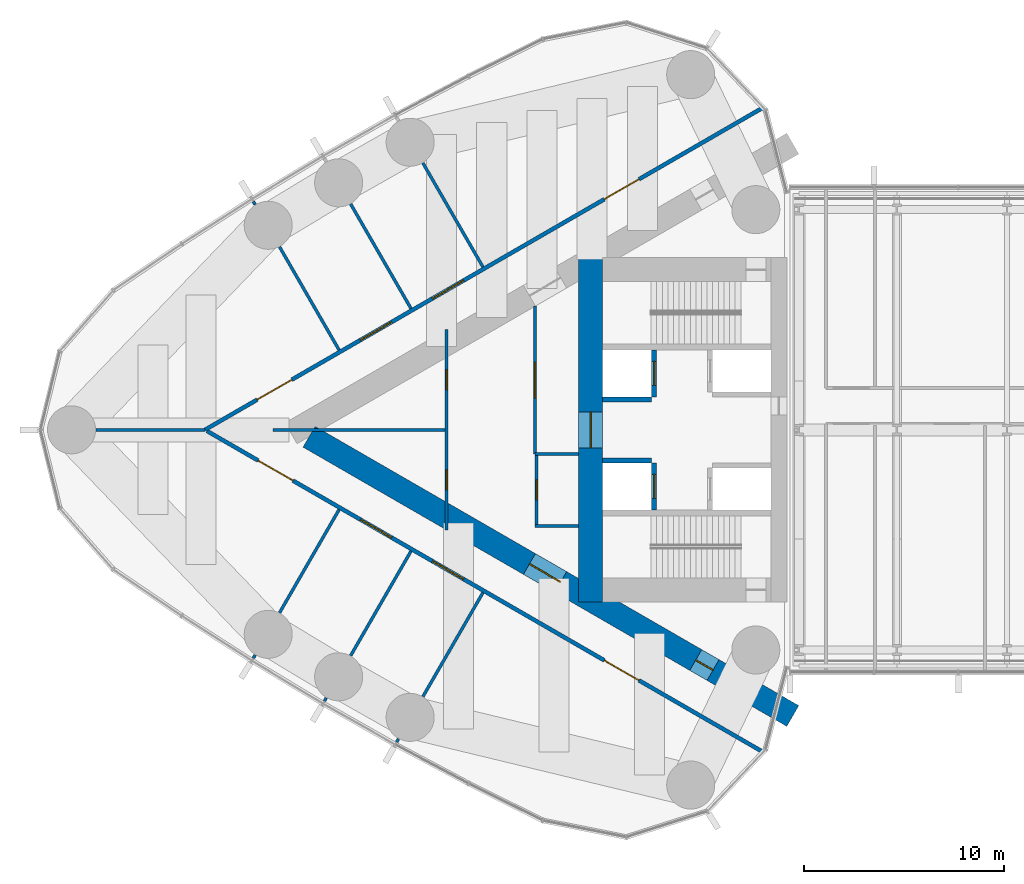
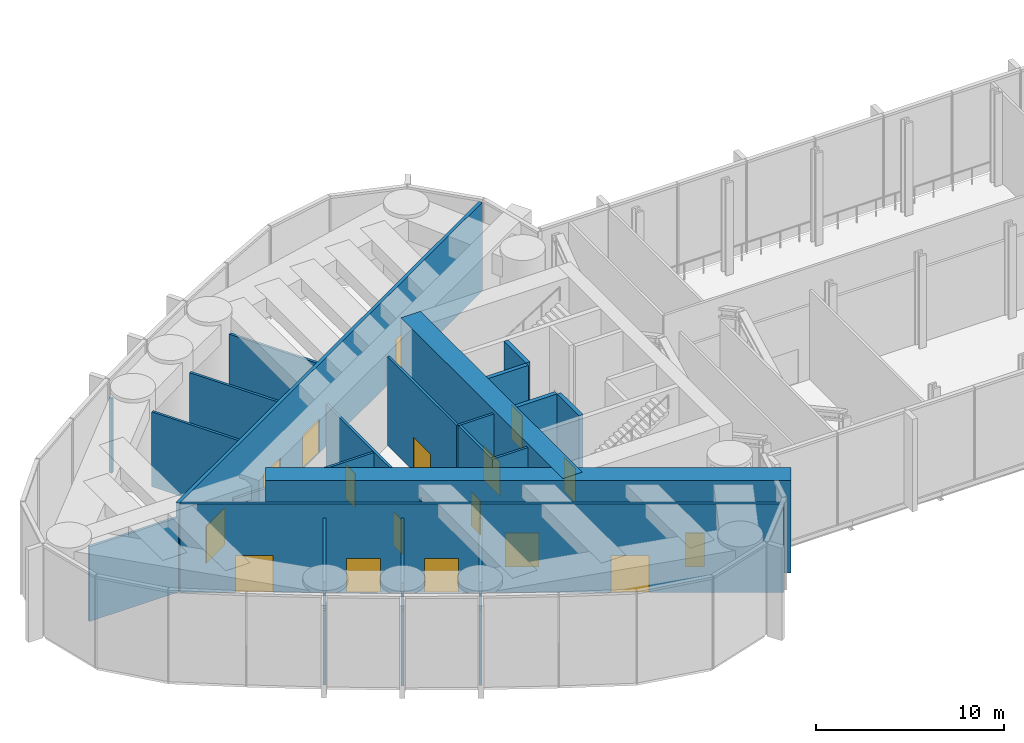
# One storey, part 15 of 21: 25 walls, 17 doors, 17 openings.
"""IFC4 building model written with IfcOpenShell, lengths in metres."""

from ifc_helpers import new_model, si_unit, direction, frame, frame_2d, origin, place, context, subcontext, project, spatial, rectangle, extrude, material, layer, layer_set, type_object, element, fill, save


model = new_model("IFC4")

# Units and contexts
model_context = context("Model", 3, precision=1e-05, world=origin(), true_north=direction((0.0, 1.0)))
body_context = subcontext(model_context, "Body", "Model", "MODEL_VIEW")
ifc_project = project(units=[si_unit("LENGTHUNIT", "METRE"), si_unit("AREAUNIT", "SQUARE_METRE"), si_unit("VOLUMEUNIT", "CUBIC_METRE"), si_unit("PLANEANGLEUNIT", "RADIAN"), si_unit("MASSUNIT", "GRAM", prefix="KILO")], contexts=[model_context])

# Site, building, storey
site_placement = place(None, origin())
site = spatial("IfcSite", under=ifc_project, at=site_placement, CompositionType="ELEMENT")
building_placement = place(site_placement, origin())
building = spatial("IfcBuilding", under=site, at=building_placement, Name="Lancet Gate Hotel", CompositionType="ELEMENT")
storey_placement = place(building_placement, frame((0.0, 0.0, 257.300048828125)))
storey = spatial("IfcBuildingStorey", under=building, at=storey_placement, Name="L68", CompositionType="ELEMENT", Elevation=257.300048828125)

# Wall, openings, doors
ifc_material_1 = material(Name="Concrete C70/85", Category="concrete")
ifc_layer_1 = layer(ifc_material_1, 1.199951171875)
ifc_layer_set_1 = layer_set([ifc_layer_1], Name="Buttress wall 1200")
wall_type_1 = type_object("IfcWallType", Name="Buttress wall 1200", PredefinedType="SHEAR", material=ifc_layer_set_1)
wall_1_placement = place(storey_placement, frame((-27.199951171875, -14.300048828125, 0.0), z_axis=(0.0, 0.0, 1.0), x_axis=(-0.866024021859, 0.500002393557, 0.0)))
wall_1 = element("IfcWall", 1, at=wall_1_placement, inside=storey, type_object=wall_type_1, Name="T1 buttress wall N L68", PredefinedType="SHEAR", context=body_context, shape_type="SweptSolid", body=[
    extrude(rectangle(XDim=27.906982421875, YDim=1.199951171875, at=frame_2d((13.95361328125, 0.0))), origin(), (0.0, 0.0, 1.0), 6.0),
])
opening_1_placement = place(wall_1_placement, frame((4.60009765625, 0.0, 0.0)))
opening_1 = element("IfcOpeningElement", 2, at=opening_1_placement, cuts=wall_1, Name="Opening T1-L68-LN", PredefinedType="OPENING", context=body_context, shape_type="SweptSolid", body=[
    extrude(rectangle(XDim=1.0, YDim=2.199951171875, at=frame_2d((0.5, 1.10009765625))), frame((0.0, 0.60986328125, 0.0), z_axis=(0.0, -1.0, 0.0), x_axis=(1.0, 0.0, 0.0)), (0.0, 0.0, 1.0), 1.219970703125),
])
opening_2_placement = place(wall_1_placement, frame((13.39453125, 0.0, 0.0)))
opening_2 = element("IfcOpeningElement", 3, at=opening_2_placement, cuts=wall_1, Name="Opening T1-L68-LHN", PredefinedType="OPENING", context=body_context, shape_type="SweptSolid", body=[
    extrude(rectangle(XDim=1.800048828125, YDim=2.199951171875, at=frame_2d((0.89990234375, 1.10009765625))), frame((0.0, 0.60986328125, 0.0), z_axis=(0.0, -1.0, 0.0), x_axis=(1.0, 0.0, 0.0)), (0.0, 0.0, 1.0), 1.219970703125),
])
ifc_material_2 = material(Name="Timber door set", Category="wood")
door_type_1 = type_object("IfcDoorType", Name="Lobby double door 1800", OperationType="DOUBLE_DOOR_SINGLE_SWING", PredefinedType="DOOR", material=ifc_material_2)
door_1_placement = place(opening_2_placement, origin())
door_1 = element("IfcDoor", 4, at=door_1_placement, inside=storey, type_object=door_type_1, Name="T1-L68-LHN", OperationType="DOUBLE_DOOR_SINGLE_SWING", OverallHeight=2.199951171875, OverallWidth=1.800048828125, PredefinedType="DOOR", context=body_context, shape_type="SweptSolid", body=[
    extrude(rectangle(XDim=1.800048828125, YDim=2.199951171875, at=frame_2d((0.89990234375, 1.10009765625))), frame((0.0, 0.02490234375, 0.0), z_axis=(0.0, -1.0, 0.0), x_axis=(1.0, 0.0, 0.0)), (0.0, 0.0, 1.0), 0.050048828125),
])
fill(opening_2, door_1)
ifc_material_3 = material(Name="Timber door set", Category="wood")
door_type_2 = type_object("IfcDoorType", Name="Stair lobby door 1000", OperationType="SINGLE_SWING_LEFT", PredefinedType="DOOR", material=ifc_material_3)
door_2_placement = place(opening_1_placement, origin())
door_2 = element("IfcDoor", 5, at=door_2_placement, inside=storey, type_object=door_type_2, Name="T1-L68-LN", OperationType="SINGLE_SWING_LEFT", OverallHeight=2.199951171875, OverallWidth=1.0, PredefinedType="DOOR", context=body_context, shape_type="SweptSolid", body=[
    extrude(rectangle(XDim=1.0, YDim=2.199951171875, at=frame_2d((0.5, 1.10009765625))), frame((0.0, 0.02490234375, 0.0), z_axis=(0.0, -1.0, 0.0), x_axis=(1.0, 0.0, 0.0)), (0.0, 0.0, 1.0), 0.050048828125),
])
fill(opening_1, door_2)

# Wall, opening, door
ifc_material_4 = material(Name="Concrete C70/85", Category="concrete")
ifc_layer_2 = layer(ifc_material_4, 1.199951171875)
ifc_layer_set_2 = layer_set([ifc_layer_2], Name="Core wall 1200")
wall_type_2 = type_object("IfcWallType", Name="Core wall 1200", PredefinedType="SHEAR", material=ifc_layer_set_2)
wall_2_placement = place(storey_placement, frame((-37.300048828125, 8.60009765625, 0.0), z_axis=(0.0, 0.0, 1.0), x_axis=(0.0, -1.0, 0.0)))
wall_2 = element("IfcWall", 6, at=wall_2_placement, inside=storey, type_object=wall_type_2, Name="T1 core wall back L68", PredefinedType="SHEAR", context=body_context, shape_type="SweptSolid", body=[
    extrude(rectangle(XDim=17.2001953125, YDim=1.199951171875, at=frame_2d((8.60009765625, 0.0))), origin(), (0.0, 0.0, 1.0), 6.0),
])
opening_3_placement = place(wall_2_placement, frame((7.699951171875, 0.0, 0.0)))
opening_3 = element("IfcOpeningElement", 7, at=opening_3_placement, cuts=wall_2, Name="Opening T1-L68-LL", PredefinedType="OPENING", context=body_context, shape_type="SweptSolid", body=[
    extrude(rectangle(XDim=1.800048828125, YDim=2.199951171875, at=frame_2d((0.89990234375, 1.10009765625))), frame((0.0, 0.60986328125, 0.0), z_axis=(0.0, -1.0, 0.0), x_axis=(1.0, 0.0, 0.0)), (0.0, 0.0, 1.0), 1.219970703125),
])
door_3_placement = place(opening_3_placement, origin())
door_3 = element("IfcDoor", 8, at=door_3_placement, inside=storey, type_object=door_type_1, Name="T1-L68-LL", OperationType="DOUBLE_DOOR_SINGLE_SWING", OverallHeight=2.199951171875, OverallWidth=1.800048828125, PredefinedType="DOOR", context=body_context, shape_type="SweptSolid", body=[
    extrude(rectangle(XDim=1.800048828125, YDim=2.199951171875, at=frame_2d((0.89990234375, 1.10009765625))), frame((0.0, 0.02490234375, 0.0), z_axis=(0.0, -1.0, 0.0), x_axis=(1.0, 0.0, 0.0)), (0.0, 0.0, 1.0), 0.050048828125),
])
fill(opening_3, door_3)

# Wall, openings, doors
ifc_material_5 = material(Name="Gypsum board partition")
ifc_layer_3 = layer(ifc_material_5, 0.199951171875)
ifc_layer_set_3 = layer_set([ifc_layer_3], Name="Corridor wall 200")
wall_type_3 = type_object("IfcWallType", Name="Corridor wall 200", PredefinedType="PARTITIONING", material=ifc_layer_set_3)
wall_3_placement = place(storey_placement, frame((-28.681396484375, 16.1005859375, 0.0), z_axis=(0.0, 0.0, 1.0), x_axis=(-0.866024860443, -0.500000941094, 0.0)))
wall_3 = element("IfcWall", 9, at=wall_3_placement, inside=storey, type_object=wall_type_3, Name="T1 corridor wall 200 L68", PredefinedType="PARTITIONING", context=body_context, shape_type="SweptSolid", body=[
    extrude(rectangle(XDim=32.201171875, YDim=0.199951171875, at=frame_2d((16.1005859375, 0.0))), origin(), (0.0, 0.0, 1.0), 5.75),
])
opening_4_placement = place(wall_3_placement, frame((7.166015625, 0.0, 0.0)))
opening_4 = element("IfcOpeningElement", 10, at=opening_4_placement, cuts=wall_3, Name="Opening T1-L68-DO01", PredefinedType="OPENING", context=body_context, shape_type="SweptSolid", body=[
    extrude(rectangle(XDim=2.0, YDim=2.39990234375, at=frame_2d((1.0, 1.199951171875))), frame((0.0, 0.10986328125, 0.0), z_axis=(0.0, -1.0, 0.0), x_axis=(1.0, 0.0, 0.0)), (0.0, 0.0, 1.0), 0.219970703125),
])
opening_5_placement = place(wall_3_placement, frame((17.281494140625, 0.0, 0.0)))
opening_5 = element("IfcOpeningElement", 11, at=opening_5_placement, cuts=wall_3, Name="Opening T1-L68-DO02", PredefinedType="OPENING", context=body_context, shape_type="SweptSolid", body=[
    extrude(rectangle(XDim=1.800048828125, YDim=2.199951171875, at=frame_2d((0.89990234375, 1.10009765625))), frame((0.0, 0.10986328125, 0.0), z_axis=(0.0, -1.0, 0.0), x_axis=(1.0, 0.0, 0.0)), (0.0, 0.0, 1.0), 0.219970703125),
])
opening_6_placement = place(wall_3_placement, frame((21.430419921875, 0.0, 0.0)))
opening_6 = element("IfcOpeningElement", 12, at=opening_6_placement, cuts=wall_3, Name="Opening T1-L68-DO03", PredefinedType="OPENING", context=body_context, shape_type="SweptSolid", body=[
    extrude(rectangle(XDim=1.800048828125, YDim=2.199951171875, at=frame_2d((0.89990234375, 1.10009765625))), frame((0.0, 0.10986328125, 0.0), z_axis=(0.0, -1.0, 0.0), x_axis=(1.0, 0.0, 0.0)), (0.0, 0.0, 1.0), 0.219970703125),
])
opening_7_placement = place(wall_3_placement, frame((27.1904296875, 0.0, 0.0)))
opening_7 = element("IfcOpeningElement", 13, at=opening_7_placement, cuts=wall_3, Name="Opening T1-L68-DO04", PredefinedType="OPENING", context=body_context, shape_type="SweptSolid", body=[
    extrude(rectangle(XDim=2.0, YDim=2.39990234375, at=frame_2d((1.0, 1.199951171875))), frame((0.0, 0.10986328125, 0.0), z_axis=(0.0, -1.0, 0.0), x_axis=(1.0, 0.0, 0.0)), (0.0, 0.0, 1.0), 0.219970703125),
])
ifc_material_6 = material(Name="Timber door set", Category="wood")
door_type_3 = type_object("IfcDoorType", Name="Double door 1800", OperationType="DOUBLE_DOOR_SINGLE_SWING", PredefinedType="DOOR", material=ifc_material_6)
door_4_placement = place(opening_5_placement, origin())
door_4 = element("IfcDoor", 14, at=door_4_placement, inside=storey, type_object=door_type_3, Name="T1-L68-DO02", OperationType="DOUBLE_DOOR_SINGLE_SWING", OverallHeight=2.199951171875, OverallWidth=1.800048828125, PredefinedType="DOOR", context=body_context, shape_type="SweptSolid", body=[
    extrude(rectangle(XDim=1.800048828125, YDim=2.199951171875, at=frame_2d((0.89990234375, 1.10009765625))), frame((0.0, 0.02490234375, 0.0), z_axis=(0.0, -1.0, 0.0), x_axis=(1.0, 0.0, 0.0)), (0.0, 0.0, 1.0), 0.050048828125),
])
fill(opening_5, door_4)
door_5_placement = place(opening_6_placement, origin())
door_5 = element("IfcDoor", 15, at=door_5_placement, inside=storey, type_object=door_type_3, Name="T1-L68-DO03", OperationType="DOUBLE_DOOR_SINGLE_SWING", OverallHeight=2.199951171875, OverallWidth=1.800048828125, PredefinedType="DOOR", context=body_context, shape_type="SweptSolid", body=[
    extrude(rectangle(XDim=1.800048828125, YDim=2.199951171875, at=frame_2d((0.89990234375, 1.10009765625))), frame((0.0, 0.02490234375, 0.0), z_axis=(0.0, -1.0, 0.0), x_axis=(1.0, 0.0, 0.0)), (0.0, 0.0, 1.0), 0.050048828125),
])
fill(opening_6, door_5)
ifc_material_7 = material(Name="Timber door set", Category="wood")
door_type_4 = type_object("IfcDoorType", Name="Plant room double door 2000", OperationType="DOUBLE_DOOR_SINGLE_SWING", PredefinedType="DOOR", material=ifc_material_7)
door_6_placement = place(opening_4_placement, origin())
door_6 = element("IfcDoor", 16, at=door_6_placement, inside=storey, type_object=door_type_4, Name="T1-L68-DO01", OperationType="DOUBLE_DOOR_SINGLE_SWING", OverallHeight=2.39990234375, OverallWidth=2.0, PredefinedType="DOOR", context=body_context, shape_type="SweptSolid", body=[
    extrude(rectangle(XDim=2.0, YDim=2.39990234375, at=frame_2d((1.0, 1.199951171875))), frame((0.0, 0.02490234375, 0.0), z_axis=(0.0, -1.0, 0.0), x_axis=(1.0, 0.0, 0.0)), (0.0, 0.0, 1.0), 0.050048828125),
])
fill(opening_4, door_6)
door_7_placement = place(opening_7_placement, origin())
door_7 = element("IfcDoor", 17, at=door_7_placement, inside=storey, type_object=door_type_4, Name="T1-L68-DO04", OperationType="DOUBLE_DOOR_SINGLE_SWING", OverallHeight=2.39990234375, OverallWidth=2.0, PredefinedType="DOOR", context=body_context, shape_type="SweptSolid", body=[
    extrude(rectangle(XDim=2.0, YDim=2.39990234375, at=frame_2d((1.0, 1.199951171875))), frame((0.0, 0.02490234375, 0.0), z_axis=(0.0, -1.0, 0.0), x_axis=(1.0, 0.0, 0.0)), (0.0, 0.0, 1.0), 0.050048828125),
])
fill(opening_7, door_7)

wall_4_placement = place(storey_placement, frame((-28.681396484375, -16.1005859375, 0.0), z_axis=(0.0, 0.0, 1.0), x_axis=(-0.86602501917, 0.50000066617, 0.0)))
wall_4 = element("IfcWall", 18, at=wall_4_placement, inside=storey, type_object=wall_type_3, Name="T1 corridor wall 200 L68", PredefinedType="PARTITIONING", context=body_context, shape_type="SweptSolid", body=[
    extrude(rectangle(XDim=32.0810546875, YDim=0.199951171875, at=frame_2d((16.04052734375, 0.0))), origin(), (0.0, 0.0, 1.0), 5.75),
])
opening_8_placement = place(wall_4_placement, frame((27.13037109375, 0.0, 0.0)))
opening_8 = element("IfcOpeningElement", 19, at=opening_8_placement, cuts=wall_4, Name="Opening T1-L68-DO05", PredefinedType="OPENING", context=body_context, shape_type="SweptSolid", body=[
    extrude(rectangle(XDim=2.0, YDim=2.39990234375, at=frame_2d((1.0, 1.199951171875))), frame((0.0, 0.10986328125, 0.0), z_axis=(0.0, -1.0, 0.0), x_axis=(1.0, 0.0, 0.0)), (0.0, 0.0, 1.0), 0.219970703125),
])
opening_9_placement = place(wall_4_placement, frame((21.430419921875, 0.0, 0.0)))
opening_9 = element("IfcOpeningElement", 20, at=opening_9_placement, cuts=wall_4, Name="Opening T1-L68-DO06", PredefinedType="OPENING", context=body_context, shape_type="SweptSolid", body=[
    extrude(rectangle(XDim=1.800048828125, YDim=2.199951171875, at=frame_2d((0.89990234375, 1.10009765625))), frame((0.0, 0.10986328125, 0.0), z_axis=(0.0, -1.0, 0.0), x_axis=(1.0, 0.0, 0.0)), (0.0, 0.0, 1.0), 0.219970703125),
])
opening_10_placement = place(wall_4_placement, frame((17.281494140625, 0.0, 0.0)))
opening_10 = element("IfcOpeningElement", 21, at=opening_10_placement, cuts=wall_4, Name="Opening T1-L68-DO07", PredefinedType="OPENING", context=body_context, shape_type="SweptSolid", body=[
    extrude(rectangle(XDim=1.800048828125, YDim=2.199951171875, at=frame_2d((0.89990234375, 1.10009765625))), frame((0.0, 0.10986328125, 0.0), z_axis=(0.0, -1.0, 0.0), x_axis=(1.0, 0.0, 0.0)), (0.0, 0.0, 1.0), 0.219970703125),
])
opening_11_placement = place(wall_4_placement, frame((7.166015625, 0.0, 0.0)))
opening_11 = element("IfcOpeningElement", 22, at=opening_11_placement, cuts=wall_4, Name="Opening T1-L68-DO08", PredefinedType="OPENING", context=body_context, shape_type="SweptSolid", body=[
    extrude(rectangle(XDim=2.0, YDim=2.39990234375, at=frame_2d((1.0, 1.199951171875))), frame((0.0, 0.10986328125, 0.0), z_axis=(0.0, -1.0, 0.0), x_axis=(1.0, 0.0, 0.0)), (0.0, 0.0, 1.0), 0.219970703125),
])
door_8_placement = place(opening_9_placement, origin())
door_8 = element("IfcDoor", 23, at=door_8_placement, inside=storey, type_object=door_type_3, Name="T1-L68-DO06", OperationType="DOUBLE_DOOR_SINGLE_SWING", OverallHeight=2.199951171875, OverallWidth=1.800048828125, PredefinedType="DOOR", context=body_context, shape_type="SweptSolid", body=[
    extrude(rectangle(XDim=1.800048828125, YDim=2.199951171875, at=frame_2d((0.89990234375, 1.10009765625))), frame((0.0, 0.02490234375, 0.0), z_axis=(0.0, -1.0, 0.0), x_axis=(1.0, 0.0, 0.0)), (0.0, 0.0, 1.0), 0.050048828125),
])
fill(opening_9, door_8)
door_9_placement = place(opening_10_placement, origin())
door_9 = element("IfcDoor", 24, at=door_9_placement, inside=storey, type_object=door_type_3, Name="T1-L68-DO07", OperationType="DOUBLE_DOOR_SINGLE_SWING", OverallHeight=2.199951171875, OverallWidth=1.800048828125, PredefinedType="DOOR", context=body_context, shape_type="SweptSolid", body=[
    extrude(rectangle(XDim=1.800048828125, YDim=2.199951171875, at=frame_2d((0.89990234375, 1.10009765625))), frame((0.0, 0.02490234375, 0.0), z_axis=(0.0, -1.0, 0.0), x_axis=(1.0, 0.0, 0.0)), (0.0, 0.0, 1.0), 0.050048828125),
])
fill(opening_10, door_9)
door_10_placement = place(opening_8_placement, origin())
door_10 = element("IfcDoor", 25, at=door_10_placement, inside=storey, type_object=door_type_4, Name="T1-L68-DO05", OperationType="DOUBLE_DOOR_SINGLE_SWING", OverallHeight=2.39990234375, OverallWidth=2.0, PredefinedType="DOOR", context=body_context, shape_type="SweptSolid", body=[
    extrude(rectangle(XDim=2.0, YDim=2.39990234375, at=frame_2d((1.0, 1.199951171875))), frame((0.0, 0.02490234375, 0.0), z_axis=(0.0, -1.0, 0.0), x_axis=(1.0, 0.0, 0.0)), (0.0, 0.0, 1.0), 0.050048828125),
])
fill(opening_8, door_10)
door_11_placement = place(opening_11_placement, origin())
door_11 = element("IfcDoor", 26, at=door_11_placement, inside=storey, type_object=door_type_4, Name="T1-L68-DO08", OperationType="DOUBLE_DOOR_SINGLE_SWING", OverallHeight=2.39990234375, OverallWidth=2.0, PredefinedType="DOOR", context=body_context, shape_type="SweptSolid", body=[
    extrude(rectangle(XDim=2.0, YDim=2.39990234375, at=frame_2d((1.0, 1.199951171875))), frame((0.0, 0.02490234375, 0.0), z_axis=(0.0, -1.0, 0.0), x_axis=(1.0, 0.0, 0.0)), (0.0, 0.0, 1.0), 0.050048828125),
])
fill(opening_11, door_11)

# Wall, opening, door
ifc_material_8 = material(Name="Concrete C50/60", Category="concrete")
ifc_layer_4 = layer(ifc_material_8, 0.25)
ifc_layer_set_4 = layer_set([ifc_layer_4], Name="Lift shaft wall 250")
wall_type_4 = type_object("IfcWallType", Name="Lift shaft wall 250", PredefinedType="SHEAR", material=ifc_layer_set_4)
wall_5_placement = place(storey_placement, frame((-34.125, 4.0, 0.0), z_axis=(0.0, 0.0, 1.0), x_axis=(0.0, -1.0, 0.0)))
wall_5 = element("IfcWall", 27, at=wall_5_placement, inside=storey, type_object=wall_type_4, Name="T1 core wall row2-S L68", PredefinedType="SHEAR", context=body_context, shape_type="SweptSolid", body=[
    extrude(rectangle(XDim=2.35009765625, YDim=0.25, at=frame_2d((1.175048828125, 0.0))), origin(), (0.0, 0.0, 1.0), 6.0),
])
opening_12_placement = place(wall_5_placement, frame((0.574951171875, 0.0, 0.0)))
opening_12 = element("IfcOpeningElement", 28, at=opening_12_placement, cuts=wall_5, Name="Opening T1-OL3-L68", PredefinedType="OPENING", context=body_context, shape_type="SweptSolid", body=[
    extrude(rectangle(XDim=1.199951171875, YDim=2.199951171875, at=frame_2d((0.60009765625, 1.10009765625))), frame((0.0, 0.135009765625, 0.0), z_axis=(0.0, -1.0, 0.0), x_axis=(1.0, 0.0, 0.0)), (0.0, 0.0, 1.0), 0.27001953125),
])
ifc_material_9 = material(Name="Timber door set", Category="wood")
door_type_5 = type_object("IfcDoorType", Name="Shuttle lift landing door 1200", OperationType="DOUBLE_DOOR_SLIDING", PredefinedType="USERDEFINED", material=ifc_material_9)
door_12_placement = place(opening_12_placement, origin())
door_12 = element("IfcDoor", 29, at=door_12_placement, inside=storey, type_object=door_type_5, Name="T1-OL3-L68", ObjectType="LIFT LANDING DOOR", OperationType="DOUBLE_DOOR_SLIDING", OverallHeight=2.199951171875, OverallWidth=1.199951171875, PredefinedType="USERDEFINED", context=body_context, shape_type="SweptSolid", body=[
    extrude(rectangle(XDim=1.199951171875, YDim=2.199951171875, at=frame_2d((0.60009765625, 1.10009765625))), frame((0.0, 0.02490234375, 0.0), z_axis=(0.0, -1.0, 0.0), x_axis=(1.0, 0.0, 0.0)), (0.0, 0.0, 1.0), 0.050048828125),
])
fill(opening_12, door_12)

# Wall
wall_6_placement = place(storey_placement, frame((-34.25, 1.52490234375, 0.0), z_axis=(0.0, 0.0, 1.0), x_axis=(-1.0, 0.0, 0.0)))
element("IfcWall", 30, at=wall_6_placement, inside=storey, type_object=wall_type_4, Name="T1 core wall pass2-S L68", PredefinedType="SHEAR", context=body_context, shape_type="SweptSolid", body=[
    extrude(rectangle(XDim=2.449951171875, YDim=0.25, at=frame_2d((1.22509765625, 0.0))), origin(), (0.0, 0.0, 1.0), 6.0),
])

# Wall, opening, door
wall_7_placement = place(storey_placement, frame((-34.125, -1.64990234375, 0.0), z_axis=(0.0, 0.0, 1.0), x_axis=(0.0, -1.0, 0.0)))
wall_7 = element("IfcWall", 31, at=wall_7_placement, inside=storey, type_object=wall_type_4, Name="T1 core wall row2-N L68", PredefinedType="SHEAR", context=body_context, shape_type="SweptSolid", body=[
    extrude(rectangle(XDim=2.35009765625, YDim=0.25, at=frame_2d((1.175048828125, 0.0))), origin(), (0.0, 0.0, 1.0), 6.0),
])
opening_13_placement = place(wall_7_placement, frame((0.574951171875, 0.0, 0.0)))
opening_13 = element("IfcOpeningElement", 32, at=opening_13_placement, cuts=wall_7, Name="Opening T1-OL4-L68", PredefinedType="OPENING", context=body_context, shape_type="SweptSolid", body=[
    extrude(rectangle(XDim=1.199951171875, YDim=2.199951171875, at=frame_2d((0.60009765625, 1.10009765625))), frame((0.0, 0.135009765625, 0.0), z_axis=(0.0, -1.0, 0.0), x_axis=(1.0, 0.0, 0.0)), (0.0, 0.0, 1.0), 0.27001953125),
])
door_13_placement = place(opening_13_placement, origin())
door_13 = element("IfcDoor", 33, at=door_13_placement, inside=storey, type_object=door_type_5, Name="T1-OL4-L68", ObjectType="LIFT LANDING DOOR", OperationType="DOUBLE_DOOR_SLIDING", OverallHeight=2.199951171875, OverallWidth=1.199951171875, PredefinedType="USERDEFINED", context=body_context, shape_type="SweptSolid", body=[
    extrude(rectangle(XDim=1.199951171875, YDim=2.199951171875, at=frame_2d((0.60009765625, 1.10009765625))), frame((0.0, 0.02490234375, 0.0), z_axis=(0.0, -1.0, 0.0), x_axis=(1.0, 0.0, 0.0)), (0.0, 0.0, 1.0), 0.050048828125),
])
fill(opening_13, door_13)

# Walls
wall_8_placement = place(storey_placement, frame((-34.25, -1.52490234375, 0.0), z_axis=(0.0, 0.0, 1.0), x_axis=(-1.0, 0.0, 0.0)))
element("IfcWall", 34, at=wall_8_placement, inside=storey, type_object=wall_type_4, Name="T1 core wall pass2-N L68", PredefinedType="SHEAR", context=body_context, shape_type="SweptSolid", body=[
    extrude(rectangle(XDim=2.449951171875, YDim=0.25, at=frame_2d((1.22509765625, 0.0))), origin(), (0.0, 0.0, 1.0), 6.0),
])
ifc_material_10 = material(Name="Gypsum board partition")
ifc_layer_5 = layer(ifc_material_10, 0.14990234375)
ifc_layer_set_5 = layer_set([ifc_layer_5], Name="Party wall 150")
wall_type_5 = type_object("IfcWallType", Name="Party wall 150", PredefinedType="PARTITIONING", material=ifc_layer_set_5)
wall_9_placement = place(storey_placement, frame((-42.680419921875, 8.133544921875, 0.0), z_axis=(0.0, 0.0, 1.0), x_axis=(-0.499984479505, 0.866034364361, 0.0)))
element("IfcWall", 35, at=wall_9_placement, inside=storey, type_object=wall_type_5, Name="T1 party wall 150 L68", PredefinedType="PARTITIONING", context=body_context, shape_type="SweptSolid", body=[
    extrude(rectangle(XDim=5.995361328125, YDim=0.14990234375, at=frame_2d((2.99755859375, 0.0))), origin(), (0.0, 0.0, 1.0), 4.849853515625),
])
wall_10_placement = place(storey_placement, frame((-46.273681640625, 6.05908203125, 0.0), z_axis=(0.0, 0.0, 1.0), x_axis=(-0.500020471368, 0.866013584312, 0.0)))
element("IfcWall", 36, at=wall_10_placement, inside=storey, type_object=wall_type_5, Name="T1 party wall 150 L68", PredefinedType="PARTITIONING", context=body_context, shape_type="SweptSolid", body=[
    extrude(rectangle(XDim=6.027587890625, YDim=0.14990234375, at=frame_2d((3.013671875, 0.0))), origin(), (0.0, 0.0, 1.0), 4.849853515625),
])
wall_11_placement = place(storey_placement, frame((-49.866455078125, 3.98486328125, 0.0), z_axis=(0.0, 0.0, 1.0), x_axis=(-0.500000694566, 0.866025002776, 0.0)))
element("IfcWall", 37, at=wall_11_placement, inside=storey, type_object=wall_type_5, Name="T1 party wall 150 L68", PredefinedType="PARTITIONING", context=body_context, shape_type="SweptSolid", body=[
    extrude(rectangle(XDim=5.94970703125, YDim=0.14990234375, at=frame_2d((2.974853515625, 0.0))), origin(), (0.0, 0.0, 1.0), 4.849853515625),
])
wall_12_placement = place(storey_placement, frame((-54.061279296875, 11.25048828125, 0.0), z_axis=(0.0, 0.0, 1.0), x_axis=(-0.500391173478, 0.865799441849, 0.0)))
element("IfcWall", 38, at=wall_12_placement, inside=storey, type_object=wall_type_5, Name="T1 party wall 150 L68", PredefinedType="PARTITIONING", context=body_context, shape_type="SweptSolid", body=[
    extrude(rectangle(XDim=0.178955078125, YDim=0.14990234375, at=frame_2d((0.08935546875, 0.0))), origin(), (0.0, 0.0, 1.0), 4.849853515625),
])
wall_13_placement = place(storey_placement, frame((-42.680419921875, -8.133544921875, 0.0), z_axis=(0.0, 0.0, 1.0), x_axis=(-0.499984479505, -0.866034364361, 0.0)))
element("IfcWall", 39, at=wall_13_placement, inside=storey, type_object=wall_type_5, Name="T1 party wall 150 L68", PredefinedType="PARTITIONING", context=body_context, shape_type="SweptSolid", body=[
    extrude(rectangle(XDim=5.995361328125, YDim=0.14990234375, at=frame_2d((2.99755859375, 0.0))), origin(), (0.0, 0.0, 1.0), 4.849853515625),
])
wall_14_placement = place(storey_placement, frame((-46.89794921875, -15.438720703125, 0.0), z_axis=(0.0, 0.0, 1.0), x_axis=(-0.500232303069, -0.865891241997, 0.0)))
element("IfcWall", 40, at=wall_14_placement, inside=storey, type_object=wall_type_5, Name="T1 party wall 150 L68", PredefinedType="PARTITIONING", context=body_context, shape_type="SweptSolid", body=[
    extrude(rectangle(XDim=0.1796875, YDim=0.14990234375, at=frame_2d((0.08984375, 0.0))), origin(), (0.0, 0.0, 1.0), 4.849853515625),
])
wall_15_placement = place(storey_placement, frame((-46.273681640625, -6.05908203125, 0.0), z_axis=(0.0, 0.0, 1.0), x_axis=(-0.500020471368, -0.866013584312, 0.0)))
element("IfcWall", 41, at=wall_15_placement, inside=storey, type_object=wall_type_5, Name="T1 party wall 150 L68", PredefinedType="PARTITIONING", context=body_context, shape_type="SweptSolid", body=[
    extrude(rectangle(XDim=6.027587890625, YDim=0.14990234375, at=frame_2d((3.013671875, 0.0))), origin(), (0.0, 0.0, 1.0), 4.849853515625),
])
wall_16_placement = place(storey_placement, frame((-50.507568359375, -13.392333984375, 0.0), z_axis=(0.0, 0.0, 1.0), x_axis=(-0.499644091975, -0.866230789891, 0.0)))
element("IfcWall", 42, at=wall_16_placement, inside=storey, type_object=wall_type_5, Name="T1 party wall 150 L68", PredefinedType="PARTITIONING", context=body_context, shape_type="SweptSolid", body=[
    extrude(rectangle(XDim=0.179931640625, YDim=0.14990234375, at=frame_2d((0.08984375, 0.0))), origin(), (0.0, 0.0, 1.0), 4.849853515625),
])
wall_17_placement = place(storey_placement, frame((-49.866455078125, -3.98486328125, 0.0), z_axis=(0.0, 0.0, 1.0), x_axis=(-0.500000694566, -0.866025002776, 0.0)))
element("IfcWall", 43, at=wall_17_placement, inside=storey, type_object=wall_type_5, Name="T1 party wall 150 L68", PredefinedType="PARTITIONING", context=body_context, shape_type="SweptSolid", body=[
    extrude(rectangle(XDim=5.94970703125, YDim=0.14990234375, at=frame_2d((2.974853515625, 0.0))), origin(), (0.0, 0.0, 1.0), 4.849853515625),
])
wall_18_placement = place(storey_placement, frame((-54.061279296875, -11.25048828125, 0.0), z_axis=(0.0, 0.0, 1.0), x_axis=(-0.500391173478, -0.865799441849, 0.0)))
element("IfcWall", 44, at=wall_18_placement, inside=storey, type_object=wall_type_5, Name="T1 party wall 150 L68", PredefinedType="PARTITIONING", context=body_context, shape_type="SweptSolid", body=[
    extrude(rectangle(XDim=0.178955078125, YDim=0.14990234375, at=frame_2d((0.08935546875, 0.0))), origin(), (0.0, 0.0, 1.0), 4.849853515625),
])
wall_19_placement = place(storey_placement, frame((-56.568359375, 0.0, 0.0), z_axis=(0.0, 0.0, 1.0), x_axis=(-1.0, 0.0, 0.0)))
element("IfcWall", 45, at=wall_19_placement, inside=storey, type_object=wall_type_5, Name="T1 party wall 150 L68", PredefinedType="PARTITIONING", context=body_context, shape_type="SweptSolid", body=[
    extrude(rectangle(XDim=5.446044921875, YDim=0.14990234375, at=frame_2d((2.72314453125, 0.0))), origin(), (0.0, 0.0, 1.0), 4.849853515625),
])
ifc_material_11 = material(Name="Gypsum board partition")
ifc_layer_6 = layer(ifc_material_11, 0.14990234375)
ifc_layer_set_6 = layer_set([ifc_layer_6], Name="Service room wall 150")
wall_type_6 = type_object("IfcWallType", Name="Service room wall 150", PredefinedType="PARTITIONING", material=ifc_layer_set_6)
for number, where, z_axis, x_axis, name in (
    (46, (-37.89990234375, -1.199951171875, 0.0), (0.0, 0.0, 1.0), (-1.0, 0.0, 0.0), "T1 service room wall 150 L68"),
    (47, (-37.89990234375, -4.800048828125, 0.0), (0.0, 0.0, 1.0), (-1.0, 0.0, 0.0), "T1 service room wall 150 L68"),
):
    element("IfcWall", number, at=place(storey_placement, frame(where, z_axis=z_axis, x_axis=x_axis)), inside=storey, type_object=wall_type_6, Name=name, PredefinedType="PARTITIONING", context=body_context, shape_type="SweptSolid", body=[
        extrude(rectangle(XDim=2.175048828125, YDim=0.14990234375, at=frame_2d((1.08740234375, 0.0))), origin(), (0.0, 0.0, 1.0), 5.75),
    ])

# Wall, opening, door
wall_20_placement = place(storey_placement, frame((-40.0, -1.125, 0.0), z_axis=(0.0, 0.0, 1.0), x_axis=(0.0, -1.0, 0.0)))
wall_20 = element("IfcWall", 48, at=wall_20_placement, inside=storey, type_object=wall_type_6, Name="T1 service room wall 150 L68", PredefinedType="PARTITIONING", context=body_context, shape_type="SweptSolid", body=[
    extrude(rectangle(XDim=3.75, YDim=0.14990234375, at=frame_2d((1.875, 0.0))), origin(), (0.0, 0.0, 1.0), 5.75),
])
opening_14_placement = place(wall_20_placement, frame((1.375, 0.0, 0.0)))
opening_14 = element("IfcOpeningElement", 49, at=opening_14_placement, cuts=wall_20, Name="Opening T1-L68-HRN0", PredefinedType="OPENING", context=body_context, shape_type="SweptSolid", body=[
    extrude(rectangle(XDim=1.0, YDim=2.199951171875, at=frame_2d((0.5, 1.10009765625))), frame((0.0, 0.0849609375, 0.0), z_axis=(0.0, -1.0, 0.0), x_axis=(1.0, 0.0, 0.0)), (0.0, 0.0, 1.0), 0.169921875),
])
ifc_material_12 = material(Name="Timber door set", Category="wood")
door_type_6 = type_object("IfcDoorType", Name="Service door 1000", OperationType="SINGLE_SWING_LEFT", PredefinedType="DOOR", material=ifc_material_12)
door_14_placement = place(opening_14_placement, origin())
door_14 = element("IfcDoor", 50, at=door_14_placement, inside=storey, type_object=door_type_6, Name="T1-L68-HRN0", OperationType="SINGLE_SWING_LEFT", OverallHeight=2.199951171875, OverallWidth=1.0, PredefinedType="DOOR", context=body_context, shape_type="SweptSolid", body=[
    extrude(rectangle(XDim=1.0, YDim=2.199951171875, at=frame_2d((0.5, 1.10009765625))), frame((0.0, 0.02490234375, 0.0), z_axis=(0.0, -1.0, 0.0), x_axis=(1.0, 0.0, 0.0)), (0.0, 0.0, 1.0), 0.050048828125),
])
fill(opening_14, door_14)

wall_21_placement = place(storey_placement, frame((-40.074951171875, 6.173828125, 0.0), z_axis=(0.0, 0.0, 1.0), x_axis=(0.0, -1.0, 0.0)))
wall_21 = element("IfcWall", 51, at=wall_21_placement, inside=storey, type_object=wall_type_6, Name="T1 service room wall 150 L68", PredefinedType="PARTITIONING", context=body_context, shape_type="SweptSolid", body=[
    extrude(rectangle(XDim=7.373779296875, YDim=0.14990234375, at=frame_2d((3.68701171875, 0.0))), origin(), (0.0, 0.0, 1.0), 5.75),
])
opening_15_placement = place(wall_21_placement, frame((2.786865234375, 0.0, 0.0)))
opening_15 = element("IfcOpeningElement", 52, at=opening_15_placement, cuts=wall_21, Name="Opening T1-L68-LH", PredefinedType="OPENING", context=body_context, shape_type="SweptSolid", body=[
    extrude(rectangle(XDim=1.800048828125, YDim=2.199951171875, at=frame_2d((0.89990234375, 1.10009765625))), frame((0.0, 0.0849609375, 0.0), z_axis=(0.0, -1.0, 0.0), x_axis=(1.0, 0.0, 0.0)), (0.0, 0.0, 1.0), 0.169921875),
])
door_15_placement = place(opening_15_placement, origin())
door_15 = element("IfcDoor", 53, at=door_15_placement, inside=storey, type_object=door_type_1, Name="T1-L68-LH", OperationType="DOUBLE_DOOR_SINGLE_SWING", OverallHeight=2.199951171875, OverallWidth=1.800048828125, PredefinedType="DOOR", context=body_context, shape_type="SweptSolid", body=[
    extrude(rectangle(XDim=1.800048828125, YDim=2.199951171875, at=frame_2d((0.89990234375, 1.10009765625))), frame((0.0, 0.02490234375, 0.0), z_axis=(0.0, -1.0, 0.0), x_axis=(1.0, 0.0, 0.0)), (0.0, 0.0, 1.0), 0.050048828125),
])
fill(opening_15, door_15)

# Wall, openings, doors
wall_22_placement = place(storey_placement, frame((-44.5, 5.004638671875, 0.0), z_axis=(0.0, 0.0, 1.0), x_axis=(0.0, -1.0, 0.0)))
wall_22 = element("IfcWall", 54, at=wall_22_placement, inside=storey, type_object=wall_type_6, Name="T1 service room wall 150 L68", PredefinedType="PARTITIONING", context=body_context, shape_type="SweptSolid", body=[
    extrude(rectangle(XDim=10.00927734375, YDim=0.14990234375, at=frame_2d((5.004638671875, 0.0))), origin(), (0.0, 0.0, 1.0), 4.89990234375),
])
opening_16_placement = place(wall_22_placement, frame((2.002197265625, 0.0, 0.0)))
opening_16 = element("IfcOpeningElement", 55, at=opening_16_placement, cuts=wall_22, Name="Opening T1-L68-SV", PredefinedType="OPENING", context=body_context, shape_type="SweptSolid", body=[
    extrude(rectangle(XDim=1.0, YDim=2.199951171875, at=frame_2d((0.5, 1.10009765625))), frame((0.0, 0.0849609375, 0.0), z_axis=(0.0, -1.0, 0.0), x_axis=(1.0, 0.0, 0.0)), (0.0, 0.0, 1.0), 0.169921875),
])
opening_17_placement = place(wall_22_placement, frame((7.0068359375, 0.0, 0.0)))
opening_17 = element("IfcOpeningElement", 56, at=opening_17_placement, cuts=wall_22, Name="Opening T1-L68-SV2", PredefinedType="OPENING", context=body_context, shape_type="SweptSolid", body=[
    extrude(rectangle(XDim=1.0, YDim=2.199951171875, at=frame_2d((0.5, 1.10009765625))), frame((0.0, 0.0849609375, 0.0), z_axis=(0.0, -1.0, 0.0), x_axis=(1.0, 0.0, 0.0)), (0.0, 0.0, 1.0), 0.169921875),
])
door_16_placement = place(opening_16_placement, origin())
door_16 = element("IfcDoor", 57, at=door_16_placement, inside=storey, type_object=door_type_6, Name="T1-L68-SV", OperationType="SINGLE_SWING_LEFT", OverallHeight=2.199951171875, OverallWidth=1.0, PredefinedType="DOOR", context=body_context, shape_type="SweptSolid", body=[
    extrude(rectangle(XDim=1.0, YDim=2.199951171875, at=frame_2d((0.5, 1.10009765625))), frame((0.0, 0.02490234375, 0.0), z_axis=(0.0, -1.0, 0.0), x_axis=(1.0, 0.0, 0.0)), (0.0, 0.0, 1.0), 0.050048828125),
])
fill(opening_16, door_16)
door_17_placement = place(opening_17_placement, origin())
door_17 = element("IfcDoor", 58, at=door_17_placement, inside=storey, type_object=door_type_6, Name="T1-L68-SV2", OperationType="SINGLE_SWING_LEFT", OverallHeight=2.199951171875, OverallWidth=1.0, PredefinedType="DOOR", context=body_context, shape_type="SweptSolid", body=[
    extrude(rectangle(XDim=1.0, YDim=2.199951171875, at=frame_2d((0.5, 1.10009765625))), frame((0.0, 0.02490234375, 0.0), z_axis=(0.0, -1.0, 0.0), x_axis=(1.0, 0.0, 0.0)), (0.0, 0.0, 1.0), 0.050048828125),
])
fill(opening_17, door_17)

# Wall
wall_23_placement = place(storey_placement, frame((-44.574951171875, 0.0, 0.0), z_axis=(0.0, 0.0, 1.0), x_axis=(-1.0, 0.0, 0.0)))
element("IfcWall", 59, at=wall_23_placement, inside=storey, type_object=wall_type_6, Name="T1 service room wall 150 L68", PredefinedType="PARTITIONING", context=body_context, shape_type="SweptSolid", body=[
    extrude(rectangle(XDim=8.59326171875, YDim=0.14990234375, at=frame_2d((4.296630859375, 0.0))), origin(), (0.0, 0.0, 1.0), 4.849853515625),
])

save(model, "model.ifc")
